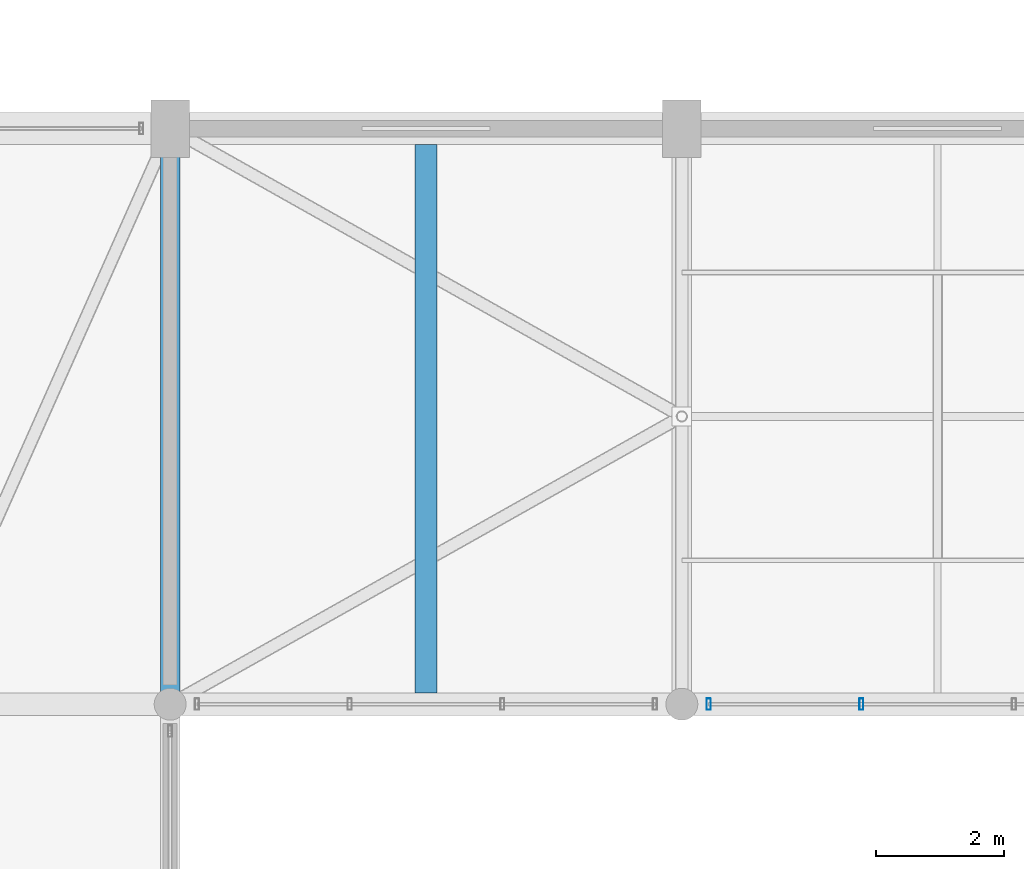
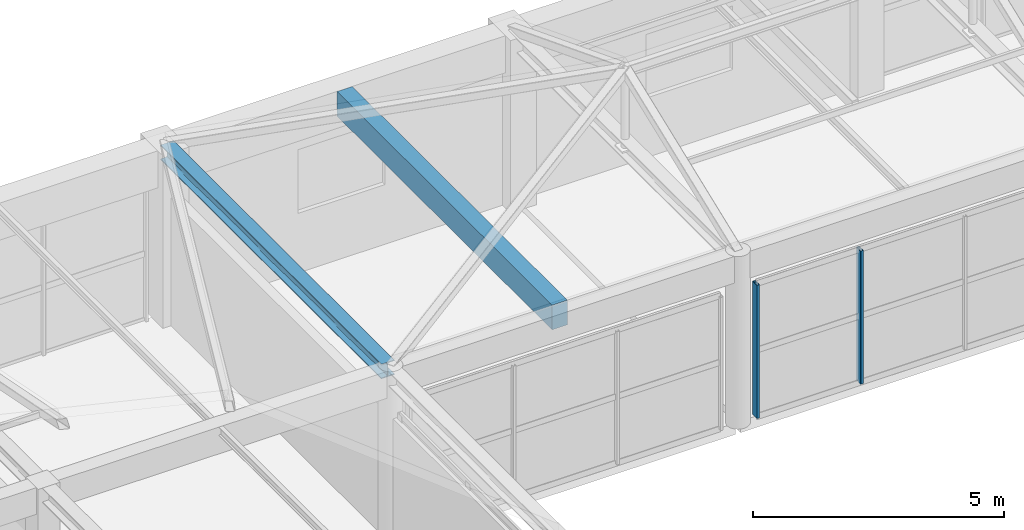
# One storey, part 29 of 65: 2 beams, 2 members, 1 element without a shape of its own.
"""IFC4 building model written with IfcOpenShell, lengths in metres."""

from ifc_helpers import new_model, si_unit, direction, frame, origin, origin_2d, place, context, subcontext, project, spatial, rectangle, hollow_rectangle, i_section, extrude, material, material_profile, profile_set, type_object, element, aggregate, save


model = new_model("IFC4")

# Units and contexts
model_context = context("Model", 3, precision=1e-05, world=origin(), true_north=direction((0.0, 1.0)))
body_context = subcontext(model_context, "Body", "Model", "MODEL_VIEW")
ifc_project = project(units=[si_unit("LENGTHUNIT", "METRE"), si_unit("AREAUNIT", "SQUARE_METRE"), si_unit("VOLUMEUNIT", "CUBIC_METRE"), si_unit("PLANEANGLEUNIT", "RADIAN"), si_unit("MASSUNIT", "GRAM", prefix="KILO")], contexts=[model_context])

# Site, building, storey
site_placement = place(None, origin())
site = spatial("IfcSite", under=ifc_project, at=site_placement, CompositionType="ELEMENT")
building_placement = place(site_placement, origin())
building = spatial("IfcBuilding", under=site, at=building_placement, Name="Varnabhumi Central Station", CompositionType="ELEMENT")
storey_placement = place(building_placement, frame((0.0, 0.0, 24.60009765625)))
storey = spatial("IfcBuildingStorey", under=building, at=storey_placement, Name="L05", CompositionType="ELEMENT", Elevation=24.60009765625)

# Beams
ifc_material_1 = material(Name="Concrete M40", Category="concrete")
ifc_material_profile_1 = material_profile(ifc_material_1, rectangle(XDim=0.35009765625, YDim=0.60009765625, at=origin_2d()), Name="Concrete M40", Category="concrete")
ifc_profile_set_1 = profile_set([ifc_material_profile_1], Name="Concrete M40")
beam_type_1 = type_object("IfcBeamType", Name="BM-RC-600x350", PredefinedType="JOIST", material=ifc_profile_set_1)
beam_1_placement = place(storey_placement, frame((116.0, 27.175048828125, 3.89990234375), z_axis=(0.0, 1.0, 0.0), x_axis=(-1.0, 0.0, 0.0)))
element("IfcBeam", 1, at=beam_1_placement, inside=storey, type_object=beam_type_1, Name="Secondary Joist L05-15/16:D-E", PredefinedType="JOIST", context=body_context, shape_type="SweptSolid", body=[
    extrude(rectangle(XDim=0.35009765625, YDim=0.60009765625, at=origin_2d()), origin(), (0.0, 0.0, 1.0), 8.574951171875),
])
ifc_material_2 = material(Name="Structural steel E350", Category="steel")
ifc_material_profile_2 = material_profile(ifc_material_2, i_section(OverallWidth=0.300048828125, OverallDepth=0.360107421875, WebThickness=0.012451171875, FlangeThickness=0.0224609375, FilletRadius=0.027099609375, at=origin_2d()), Name="Structural steel E350", Category="steel")
ifc_profile_set_2 = profile_set([ifc_material_profile_2], Name="Structural steel E350")
beam_type_2 = type_object("IfcBeamType", Name="BM-STL-WPB360", PredefinedType="BEAM", material=ifc_profile_set_2)
beam_2_placement = place(storey_placement, frame((112.0, 27.10009765625, 4.02001953125), z_axis=(0.0, 1.0, 0.0), x_axis=(-1.0, 0.0, 0.0)))
element("IfcBeam", 2, at=beam_2_placement, inside=storey, type_object=beam_type_2, Name="Beam L05-15:D-E", PredefinedType="BEAM", context=body_context, shape_type="SweptSolid", body=[
    extrude(i_section(OverallWidth=0.300048828125, OverallDepth=0.360107421875, WebThickness=0.012451171875, FlangeThickness=0.0224609375, FilletRadius=0.027099609375, at=origin_2d()), origin(), (0.0, 0.0, 1.0), 8.7998046875),
])

# Curtain wall, members
ifc_material_3 = material(Name="Anodised aluminium 6063-T6", Category="aluminium")
curtain_wall_type = type_object("IfcCurtainWallType", Name="CW-PATIO-LOGGIA-L3", PredefinedType="NOTDEFINED", material=ifc_material_3)
curtain_wall_placement = place(storey_placement, origin())
curtain_wall = element("IfcCurtainWall", 3, at=curtain_wall_placement, inside=storey, type_object=curtain_wall_type, Name="Curtain Wall CW-SP5N2", PredefinedType="NOTDEFINED")
ifc_material_profile_3 = material_profile(ifc_material_3, hollow_rectangle(XDim=0.06494140625, YDim=0.179931640625, WallThickness=0.00390625, InnerFilletRadius=0.001953125, OuterFilletRadius=0.006103515625, at=origin_2d()), Name="Anodised aluminium 6063-T6", Category="aluminium")
ifc_profile_set_3 = profile_set([ifc_material_profile_3], Name="Anodised aluminium 6063-T6")
member_type = type_object("IfcMemberType", Name="CW-MUL-180", PredefinedType="MULLION", material=ifc_profile_set_3)
member_1_placement = place(storey_placement, frame((120.419921875, 27.0, 0.0), z_axis=(0.0, 0.0, 1.0), x_axis=(1.0, 0.0, 0.0)))
member_1 = element("IfcMember", 4, at=member_1_placement, type_object=member_type, Name="Curtain Wall Mullion CW-SP5N2-M1", PredefinedType="MULLION", context=body_context, shape_type="SweptSolid", body=[
    extrude(hollow_rectangle(XDim=0.06494140625, YDim=0.179931640625, WallThickness=0.00390625, InnerFilletRadius=0.001953125, OuterFilletRadius=0.006103515625, at=origin_2d()), origin(), (0.0, 0.0, 1.0), 3.239990234375),
])
member_2_placement = place(storey_placement, frame((122.806640625, 27.0, 0.0), z_axis=(0.0, 0.0, 1.0), x_axis=(1.0, 0.0, 0.0)))
member_2 = element("IfcMember", 5, at=member_2_placement, type_object=member_type, Name="Curtain Wall Mullion CW-SP5N2-M2", PredefinedType="MULLION", context=body_context, shape_type="SweptSolid", body=[
    extrude(hollow_rectangle(XDim=0.06494140625, YDim=0.179931640625, WallThickness=0.00390625, InnerFilletRadius=0.001953125, OuterFilletRadius=0.006103515625, at=origin_2d()), origin(), (0.0, 0.0, 1.0), 3.239990234375),
])
aggregate(curtain_wall, [member_1, member_2])

save(model, "model.ifc")
